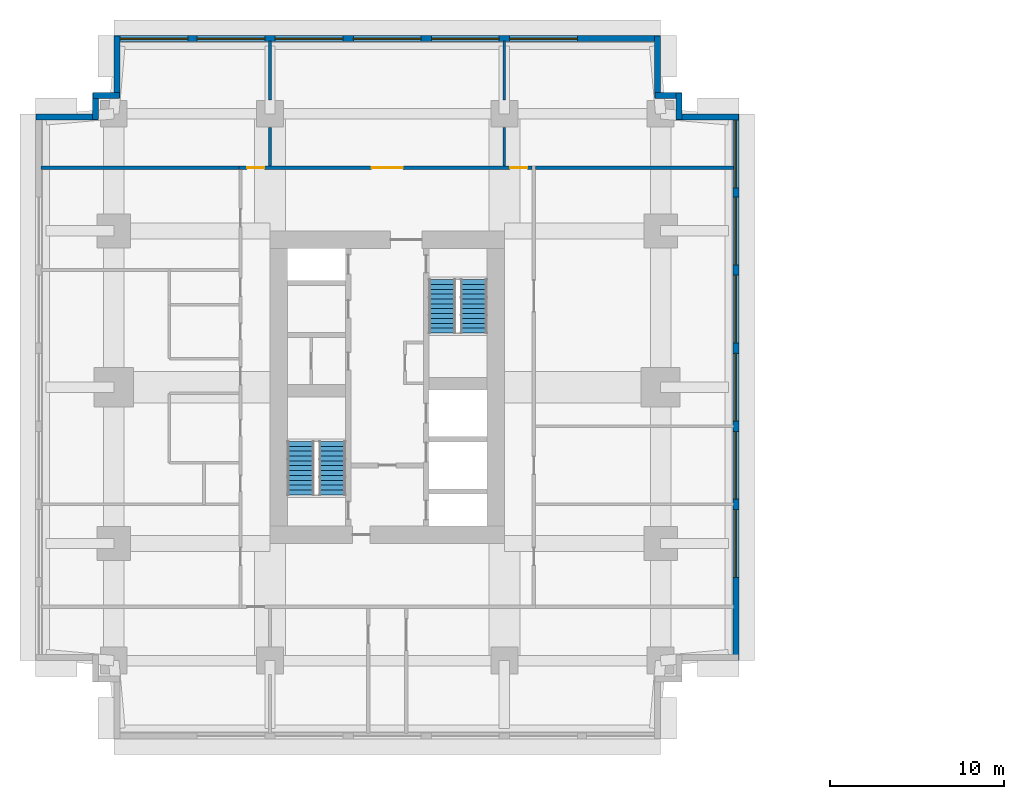
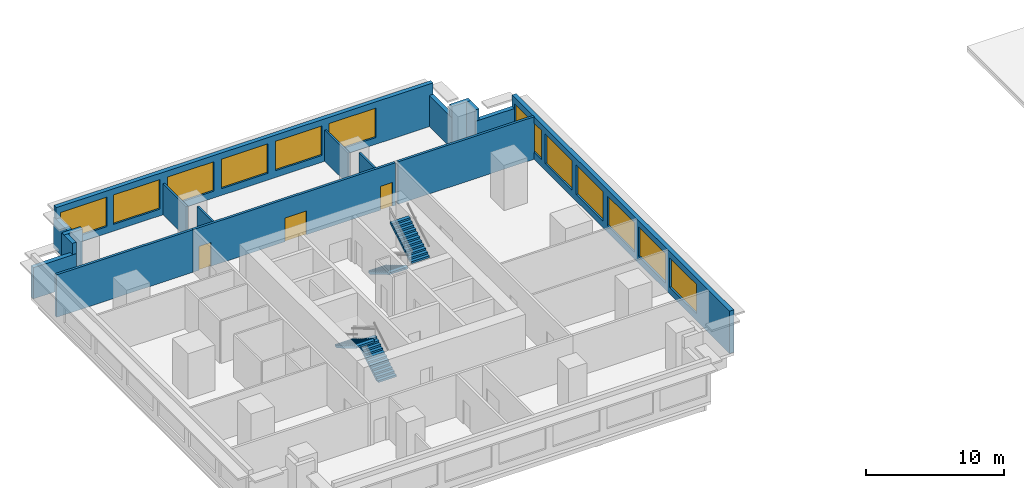
# One storey, part 4 of 5: 17 walls, 12 windows, 4 stair flights, 3 doors, 15 openings, 2 elements without a shape of their own.
"""IFC4 building model written with IfcOpenShell, lengths in metres."""

from ifc_helpers import new_model, si_unit, direction, frame, frame_2d, origin, place, context, subcontext, project, spatial, polyline, rectangle, outline, extrude, material, layer, layer_set, type_object, element, fill, aggregate, save


model = new_model("IFC4")

# Units and contexts
model_context = context("Model", 3, precision=1e-05, world=origin(), true_north=direction((0.0, 1.0)))
body_context = subcontext(model_context, "Body", "Model", "MODEL_VIEW")
ifc_project = project(units=[si_unit("LENGTHUNIT", "METRE"), si_unit("AREAUNIT", "SQUARE_METRE"), si_unit("VOLUMEUNIT", "CUBIC_METRE"), si_unit("PLANEANGLEUNIT", "RADIAN"), si_unit("MASSUNIT", "GRAM", prefix="KILO")], contexts=[model_context])

# Site, building, storey
site_placement = place(None, origin())
site = spatial("IfcSite", under=ifc_project, at=site_placement, CompositionType="ELEMENT")
building_placement = place(site_placement, origin())
building = spatial("IfcBuilding", under=site, at=building_placement, Name="Namib Vertical Campus", CompositionType="ELEMENT")
storey_placement = place(building_placement, frame((0.0, 0.0, 241.0)))
storey = spatial("IfcBuildingStorey", under=building, at=storey_placement, Name="L57", CompositionType="ELEMENT", Elevation=241.0)

# Wall, openings, doors
ifc_material_1 = material(Name="Concrete masonry", Category="masonry")
ifc_layer_1 = layer(ifc_material_1, 0.199951171875)
ifc_layer_set_1 = layer_set([ifc_layer_1], Name="Corridor wall 200")
wall_type_1 = type_object("IfcWallType", Name="Corridor wall 200", PredefinedType="SOLIDWALL", material=ifc_layer_set_1)
wall_1_placement = place(storey_placement, frame((28.60009765625, 32.89990234375, 0.0), z_axis=(0.0, 0.0, 1.0), x_axis=(-1.0, 0.0, 0.0)))
wall_1 = element("IfcWall", 1, at=wall_1_placement, inside=storey, type_object=wall_type_1, Name="Corridor wall A L57 CN", PredefinedType="SOLIDWALL", context=body_context, shape_type="SweptSolid", body=[
    extrude(rectangle(XDim=16.900146484375, YDim=0.199951171875, at=frame_2d((8.4501953125, 0.0))), origin(), (0.0, 0.0, 1.0), 3.75),
])
opening_1_placement = place(wall_1_placement, frame((15.425048828125, 0.0, 0.0)))
opening_1 = element("IfcOpeningElement", 2, at=opening_1_placement, cuts=wall_1, Name="Opening CD1", PredefinedType="OPENING", context=body_context, shape_type="SweptSolid", body=[
    extrude(rectangle(XDim=1.0, YDim=2.10009765625, at=frame_2d((0.5, 1.050048828125))), frame((0.0, 0.10986328125, 0.0), z_axis=(0.0, -1.0, 0.0), x_axis=(1.0, 0.0, 0.0)), (0.0, 0.0, 1.0), 0.219970703125),
])
opening_2_placement = place(wall_1_placement, frame((7.449951171875, 0.0, 0.0)))
opening_2 = element("IfcOpeningElement", 3, at=opening_2_placement, cuts=wall_1, Name="Opening CD2", PredefinedType="OPENING", context=body_context, shape_type="SweptSolid", body=[
    extrude(rectangle(XDim=1.800048828125, YDim=2.10009765625, at=frame_2d((0.89990234375, 1.050048828125))), frame((0.0, 0.10986328125, 0.0), z_axis=(0.0, -1.0, 0.0), x_axis=(1.0, 0.0, 0.0)), (0.0, 0.0, 1.0), 0.219970703125),
])
opening_3_placement = place(wall_1_placement, frame((0.27490234375, 0.0, 0.0)))
opening_3 = element("IfcOpeningElement", 4, at=opening_3_placement, cuts=wall_1, Name="Opening CD1", PredefinedType="OPENING", context=body_context, shape_type="SweptSolid", body=[
    extrude(rectangle(XDim=1.0, YDim=2.10009765625, at=frame_2d((0.5, 1.050048828125))), frame((0.0, 0.10986328125, 0.0), z_axis=(0.0, -1.0, 0.0), x_axis=(1.0, 0.0, 0.0)), (0.0, 0.0, 1.0), 0.219970703125),
])
ifc_material_2 = material(Name="Timber fire door leaf", Category="wood")
door_type_1 = type_object("IfcDoorType", Name="Corridor door 1000x2100 20 min", OperationType="SINGLE_SWING_LEFT", PredefinedType="DOOR", material=ifc_material_2)
door_1_placement = place(opening_1_placement, frame((1.0, 0.0, 0.0), z_axis=(0.0, 0.0, 1.0), x_axis=(-1.0, 0.0, 0.0)))
door_1 = element("IfcDoor", 5, at=door_1_placement, inside=storey, type_object=door_type_1, Name="Door CD1 A57-07", OperationType="SINGLE_SWING_RIGHT", OverallHeight=2.10009765625, OverallWidth=1.0, PredefinedType="DOOR", context=body_context, shape_type="SweptSolid", body=[
    extrude(rectangle(XDim=1.0, YDim=2.10009765625, at=frame_2d((0.5, 1.050048828125))), frame((0.0, 0.02490234375, 0.0), z_axis=(0.0, -1.0, 0.0), x_axis=(1.0, 0.0, 0.0)), (0.0, 0.0, 1.0), 0.050048828125),
])
fill(opening_1, door_1)
door_2_placement = place(opening_3_placement, frame((1.0, 0.0, 0.0), z_axis=(0.0, 0.0, 1.0), x_axis=(-1.0, 0.0, 0.0)))
door_2 = element("IfcDoor", 6, at=door_2_placement, inside=storey, type_object=door_type_1, Name="Door CD1 A57-09", OperationType="SINGLE_SWING_LEFT", OverallHeight=2.10009765625, OverallWidth=1.0, PredefinedType="DOOR", context=body_context, shape_type="SweptSolid", body=[
    extrude(rectangle(XDim=1.0, YDim=2.10009765625, at=frame_2d((0.5, 1.050048828125))), frame((0.0, 0.02490234375, 0.0), z_axis=(0.0, -1.0, 0.0), x_axis=(1.0, 0.0, 0.0)), (0.0, 0.0, 1.0), 0.050048828125),
])
fill(opening_3, door_2)
ifc_material_3 = material(Name="Timber fire door leaf", Category="wood")
door_type_2 = type_object("IfcDoorType", Name="Corridor door double 1800x2100 20 min", OperationType="DOUBLE_DOOR_SINGLE_SWING", PredefinedType="DOOR", material=ifc_material_3)
door_3_placement = place(opening_2_placement, frame((1.800048828125, 0.0, 0.0), z_axis=(0.0, 0.0, 1.0), x_axis=(-1.0, 0.0, 0.0)))
door_3 = element("IfcDoor", 7, at=door_3_placement, inside=storey, type_object=door_type_2, Name="Door CD2 A57-08", OperationType="DOUBLE_DOOR_SINGLE_SWING", OverallHeight=2.10009765625, OverallWidth=1.800048828125, PredefinedType="DOOR", context=body_context, shape_type="SweptSolid", body=[
    extrude(rectangle(XDim=1.800048828125, YDim=2.10009765625, at=frame_2d((0.89990234375, 1.050048828125))), frame((0.0, 0.02490234375, 0.0), z_axis=(0.0, -1.0, 0.0), x_axis=(1.0, 0.0, 0.0)), (0.0, 0.0, 1.0), 0.050048828125),
])
fill(opening_2, door_3)

# Walls
for number, where, z_axis, x_axis, name in (
    (8, (0.300048828125, 32.89990234375, 0.0), (0.0, 0.0, 1.0), (1.0, 0.0, 0.0), "Partition A L57 BNW"),
    (9, (28.800048828125, 32.89990234375, 0.0), (0.0, 0.0, 1.0), (1.0, 0.0, 0.0), "Partition A L57 BNE"),
):
    element("IfcWall", number, at=place(storey_placement, frame(where, z_axis=z_axis, x_axis=x_axis)), inside=storey, type_object=wall_type_1, Name=name, PredefinedType="SOLIDWALL", context=body_context, shape_type="SweptSolid", body=[
        extrude(rectangle(XDim=11.39990234375, YDim=0.199951171875, at=frame_2d((5.699951171875, 0.0))), origin(), (0.0, 0.0, 1.0), 3.75),
    ])

# Wall, openings, windows
ifc_material_4 = material(Name="Concrete C40/50", Category="concrete")
ifc_layer_2 = layer(ifc_material_4, 0.35009765625)
ifc_layer_set_2 = layer_set([ifc_layer_2], Name="Concrete C40/50")
wall_type_2 = type_object("IfcWallType", Name="External wall 350 bush-hammered concrete", PredefinedType="STANDARD", material=ifc_layer_set_2)
wall_2_placement = place(storey_placement, frame((40.324951171875, 4.52001953125, 0.0), z_axis=(0.0, 0.0, 1.0), x_axis=(0.0, 1.0, 0.0)))
wall_2 = element("IfcWall", 10, at=wall_2_placement, inside=storey, type_object=wall_type_2, Name="External wall L57 F06", PredefinedType="STANDARD", context=body_context, shape_type="SweptSolid", body=[
    extrude(rectangle(XDim=31.4599609375, YDim=0.35009765625, at=frame_2d((15.72998046875, 0.0))), origin(), (0.0, 0.0, 1.0), 3.75),
])
opening_4_placement = place(wall_2_placement, frame((4.780029296875, 0.0, 0.60009765625)))
opening_4 = element("IfcOpeningElement", 11, at=opening_4_placement, cuts=wall_2, Name="Opening W2", PredefinedType="OPENING", context=body_context, shape_type="SweptSolid", body=[
    extrude(rectangle(XDim=3.89990234375, YDim=2.60009765625, at=frame_2d((1.949951171875, 1.300048828125))), frame((0.0, 0.18505859375, 0.0), z_axis=(0.0, -1.0, 0.0), x_axis=(1.0, 0.0, 0.0)), (0.0, 0.0, 1.0), 0.3701171875),
])
opening_5_placement = place(wall_2_placement, frame((9.280029296875, 0.0, 0.60009765625)))
opening_5 = element("IfcOpeningElement", 12, at=opening_5_placement, cuts=wall_2, Name="Opening W2", PredefinedType="OPENING", context=body_context, shape_type="SweptSolid", body=[
    extrude(rectangle(XDim=3.89990234375, YDim=2.60009765625, at=frame_2d((1.949951171875, 1.300048828125))), frame((0.0, 0.18505859375, 0.0), z_axis=(0.0, -1.0, 0.0), x_axis=(1.0, 0.0, 0.0)), (0.0, 0.0, 1.0), 0.3701171875),
])
opening_6_placement = place(wall_2_placement, frame((13.780029296875, 0.0, 0.60009765625)))
opening_6 = element("IfcOpeningElement", 13, at=opening_6_placement, cuts=wall_2, Name="Opening W2", PredefinedType="OPENING", context=body_context, shape_type="SweptSolid", body=[
    extrude(rectangle(XDim=3.89990234375, YDim=2.60009765625, at=frame_2d((1.949951171875, 1.300048828125))), frame((0.0, 0.18505859375, 0.0), z_axis=(0.0, -1.0, 0.0), x_axis=(1.0, 0.0, 0.0)), (0.0, 0.0, 1.0), 0.3701171875),
])
opening_7_placement = place(wall_2_placement, frame((18.280029296875, 0.0, 0.60009765625)))
opening_7 = element("IfcOpeningElement", 14, at=opening_7_placement, cuts=wall_2, Name="Opening W2", PredefinedType="OPENING", context=body_context, shape_type="SweptSolid", body=[
    extrude(rectangle(XDim=3.89990234375, YDim=2.60009765625, at=frame_2d((1.949951171875, 1.300048828125))), frame((0.0, 0.18505859375, 0.0), z_axis=(0.0, -1.0, 0.0), x_axis=(1.0, 0.0, 0.0)), (0.0, 0.0, 1.0), 0.3701171875),
])
opening_8_placement = place(wall_2_placement, frame((22.780029296875, 0.0, 0.60009765625)))
opening_8 = element("IfcOpeningElement", 15, at=opening_8_placement, cuts=wall_2, Name="Opening W2", PredefinedType="OPENING", context=body_context, shape_type="SweptSolid", body=[
    extrude(rectangle(XDim=3.89990234375, YDim=2.60009765625, at=frame_2d((1.949951171875, 1.300048828125))), frame((0.0, 0.18505859375, 0.0), z_axis=(0.0, -1.0, 0.0), x_axis=(1.0, 0.0, 0.0)), (0.0, 0.0, 1.0), 0.3701171875),
])
opening_9_placement = place(wall_2_placement, frame((27.2099609375, 0.0, 0.60009765625)))
opening_9 = element("IfcOpeningElement", 16, at=opening_9_placement, cuts=wall_2, Name="Opening W2", PredefinedType="OPENING", context=body_context, shape_type="SweptSolid", body=[
    extrude(rectangle(XDim=3.89990234375, YDim=2.60009765625, at=frame_2d((1.949951171875, 1.300048828125))), frame((0.0, 0.18505859375, 0.0), z_axis=(0.0, -1.0, 0.0), x_axis=(1.0, 0.0, 0.0)), (0.0, 0.0, 1.0), 0.3701171875),
])
ifc_material_5 = material(Name="Dark tinted glass in black aluminium frame", Category="aluminium")
window_type = type_object("IfcWindowType", Name="Ribbon window 3900x2600", PartitioningType="SINGLE_PANEL", PredefinedType="WINDOW", material=ifc_material_5)
window_1_placement = place(opening_4_placement, origin())
window_1 = element("IfcWindow", 17, at=window_1_placement, inside=storey, type_object=window_type, Name="Window W2 L57 F06-2", OverallHeight=2.60009765625, OverallWidth=3.89990234375, PartitioningType="SINGLE_PANEL", PredefinedType="WINDOW", context=body_context, shape_type="SweptSolid", body=[
    extrude(rectangle(XDim=3.89990234375, YDim=2.60009765625, at=frame_2d((1.949951171875, 1.300048828125))), frame((0.0, 0.030029296875, 0.0), z_axis=(0.0, -1.0, 0.0), x_axis=(1.0, 0.0, 0.0)), (0.0, 0.0, 1.0), 0.06005859375),
])
fill(opening_4, window_1)
window_2_placement = place(opening_5_placement, origin())
window_2 = element("IfcWindow", 18, at=window_2_placement, inside=storey, type_object=window_type, Name="Window W2 L57 F06-3", OverallHeight=2.60009765625, OverallWidth=3.89990234375, PartitioningType="SINGLE_PANEL", PredefinedType="WINDOW", context=body_context, shape_type="SweptSolid", body=[
    extrude(rectangle(XDim=3.89990234375, YDim=2.60009765625, at=frame_2d((1.949951171875, 1.300048828125))), frame((0.0, 0.030029296875, 0.0), z_axis=(0.0, -1.0, 0.0), x_axis=(1.0, 0.0, 0.0)), (0.0, 0.0, 1.0), 0.06005859375),
])
fill(opening_5, window_2)
window_3_placement = place(opening_6_placement, origin())
window_3 = element("IfcWindow", 19, at=window_3_placement, inside=storey, type_object=window_type, Name="Window W2 L57 F06-4", OverallHeight=2.60009765625, OverallWidth=3.89990234375, PartitioningType="SINGLE_PANEL", PredefinedType="WINDOW", context=body_context, shape_type="SweptSolid", body=[
    extrude(rectangle(XDim=3.89990234375, YDim=2.60009765625, at=frame_2d((1.949951171875, 1.300048828125))), frame((0.0, 0.030029296875, 0.0), z_axis=(0.0, -1.0, 0.0), x_axis=(1.0, 0.0, 0.0)), (0.0, 0.0, 1.0), 0.06005859375),
])
fill(opening_6, window_3)
window_4_placement = place(opening_7_placement, origin())
window_4 = element("IfcWindow", 20, at=window_4_placement, inside=storey, type_object=window_type, Name="Window W2 L57 F06-5", OverallHeight=2.60009765625, OverallWidth=3.89990234375, PartitioningType="SINGLE_PANEL", PredefinedType="WINDOW", context=body_context, shape_type="SweptSolid", body=[
    extrude(rectangle(XDim=3.89990234375, YDim=2.60009765625, at=frame_2d((1.949951171875, 1.300048828125))), frame((0.0, 0.030029296875, 0.0), z_axis=(0.0, -1.0, 0.0), x_axis=(1.0, 0.0, 0.0)), (0.0, 0.0, 1.0), 0.06005859375),
])
fill(opening_7, window_4)
window_5_placement = place(opening_8_placement, origin())
window_5 = element("IfcWindow", 21, at=window_5_placement, inside=storey, type_object=window_type, Name="Window W2 L57 F06-6", OverallHeight=2.60009765625, OverallWidth=3.89990234375, PartitioningType="SINGLE_PANEL", PredefinedType="WINDOW", context=body_context, shape_type="SweptSolid", body=[
    extrude(rectangle(XDim=3.89990234375, YDim=2.60009765625, at=frame_2d((1.949951171875, 1.300048828125))), frame((0.0, 0.030029296875, 0.0), z_axis=(0.0, -1.0, 0.0), x_axis=(1.0, 0.0, 0.0)), (0.0, 0.0, 1.0), 0.06005859375),
])
fill(opening_8, window_5)
window_6_placement = place(opening_9_placement, origin())
window_6 = element("IfcWindow", 22, at=window_6_placement, inside=storey, type_object=window_type, Name="Window W2 L57 F06-7", OverallHeight=2.60009765625, OverallWidth=3.89990234375, PartitioningType="SINGLE_PANEL", PredefinedType="WINDOW", context=body_context, shape_type="SweptSolid", body=[
    extrude(rectangle(XDim=3.89990234375, YDim=2.60009765625, at=frame_2d((1.949951171875, 1.300048828125))), frame((0.0, 0.030029296875, 0.0), z_axis=(0.0, -1.0, 0.0), x_axis=(1.0, 0.0, 0.0)), (0.0, 0.0, 1.0), 0.06005859375),
])
fill(opening_9, window_6)

# Walls
wall_3_placement = place(storey_placement, frame((40.47998046875, 35.824951171875, 0.0), z_axis=(0.0, 0.0, 1.0), x_axis=(-1.0, 0.0, 0.0)))
element("IfcWall", 23, at=wall_3_placement, inside=storey, type_object=wall_type_2, Name="External wall L57 F07", PredefinedType="STANDARD", context=body_context, shape_type="SweptSolid", body=[
    extrude(rectangle(XDim=3.5849609375, YDim=0.35009765625, at=frame_2d((1.79248046875, 0.0))), origin(), (0.0, 0.0, 1.0), 2.75),
])
for number, where, z_axis, x_axis, name in (
    (24, (37.050048828125, 35.669921875, 0.0), (0.0, 0.0, 1.0), (0.0, 1.0, 0.0), "External wall L57 F08"),
    (25, (37.205078125, 37.050048828125, 0.0), (0.0, 0.0, 1.0), (-1.0, 0.0, 0.0), "External wall L57 F09"),
):
    element("IfcWall", number, at=place(storey_placement, frame(where, z_axis=z_axis, x_axis=x_axis)), inside=storey, type_object=wall_type_2, Name=name, PredefinedType="STANDARD", context=body_context, shape_type="SweptSolid", body=[
        extrude(rectangle(XDim=1.53515625, YDim=0.35009765625, at=frame_2d((0.767578125, 0.0))), origin(), (0.0, 0.0, 1.0), 3.75),
    ])
wall_4_placement = place(storey_placement, frame((35.824951171875, 36.89501953125, 0.0), z_axis=(0.0, 0.0, 1.0), x_axis=(0.0, 1.0, 0.0)))
element("IfcWall", 26, at=wall_4_placement, inside=storey, type_object=wall_type_2, Name="External wall L57 F10", PredefinedType="STANDARD", context=body_context, shape_type="SweptSolid", body=[
    extrude(rectangle(XDim=3.5849609375, YDim=0.35009765625, at=frame_2d((1.79248046875, 0.0))), origin(), (0.0, 0.0, 1.0), 2.75),
])

# Wall, openings, windows
wall_5_placement = place(storey_placement, frame((35.97998046875, 40.324951171875, 0.0), z_axis=(0.0, 0.0, 1.0), x_axis=(-1.0, 0.0, 0.0)))
wall_5 = element("IfcWall", 27, at=wall_5_placement, inside=storey, type_object=wall_type_2, Name="External wall L57 F11", PredefinedType="STANDARD", context=body_context, shape_type="SweptSolid", body=[
    extrude(rectangle(XDim=31.4599609375, YDim=0.35009765625, at=frame_2d((15.72998046875, 0.0))), origin(), (0.0, 0.0, 1.0), 3.75),
])
opening_10_placement = place(wall_5_placement, frame((27.2099609375, 0.0, 0.60009765625)))
opening_10 = element("IfcOpeningElement", 28, at=opening_10_placement, cuts=wall_5, Name="Opening W2", PredefinedType="OPENING", context=body_context, shape_type="SweptSolid", body=[
    extrude(rectangle(XDim=3.89990234375, YDim=2.60009765625, at=frame_2d((1.949951171875, 1.300048828125))), frame((0.0, 0.18505859375, 0.0), z_axis=(0.0, -1.0, 0.0), x_axis=(1.0, 0.0, 0.0)), (0.0, 0.0, 1.0), 0.3701171875),
])
opening_11_placement = place(wall_5_placement, frame((22.780029296875, 0.0, 0.60009765625)))
opening_11 = element("IfcOpeningElement", 29, at=opening_11_placement, cuts=wall_5, Name="Opening W2", PredefinedType="OPENING", context=body_context, shape_type="SweptSolid", body=[
    extrude(rectangle(XDim=3.89990234375, YDim=2.60009765625, at=frame_2d((1.949951171875, 1.300048828125))), frame((0.0, 0.18505859375, 0.0), z_axis=(0.0, -1.0, 0.0), x_axis=(1.0, 0.0, 0.0)), (0.0, 0.0, 1.0), 0.3701171875),
])
opening_12_placement = place(wall_5_placement, frame((18.280029296875, 0.0, 0.60009765625)))
opening_12 = element("IfcOpeningElement", 30, at=opening_12_placement, cuts=wall_5, Name="Opening W2", PredefinedType="OPENING", context=body_context, shape_type="SweptSolid", body=[
    extrude(rectangle(XDim=3.89990234375, YDim=2.60009765625, at=frame_2d((1.949951171875, 1.300048828125))), frame((0.0, 0.18505859375, 0.0), z_axis=(0.0, -1.0, 0.0), x_axis=(1.0, 0.0, 0.0)), (0.0, 0.0, 1.0), 0.3701171875),
])
opening_13_placement = place(wall_5_placement, frame((13.780029296875, 0.0, 0.60009765625)))
opening_13 = element("IfcOpeningElement", 31, at=opening_13_placement, cuts=wall_5, Name="Opening W2", PredefinedType="OPENING", context=body_context, shape_type="SweptSolid", body=[
    extrude(rectangle(XDim=3.89990234375, YDim=2.60009765625, at=frame_2d((1.949951171875, 1.300048828125))), frame((0.0, 0.18505859375, 0.0), z_axis=(0.0, -1.0, 0.0), x_axis=(1.0, 0.0, 0.0)), (0.0, 0.0, 1.0), 0.3701171875),
])
opening_14_placement = place(wall_5_placement, frame((9.280029296875, 0.0, 0.60009765625)))
opening_14 = element("IfcOpeningElement", 32, at=opening_14_placement, cuts=wall_5, Name="Opening W2", PredefinedType="OPENING", context=body_context, shape_type="SweptSolid", body=[
    extrude(rectangle(XDim=3.89990234375, YDim=2.60009765625, at=frame_2d((1.949951171875, 1.300048828125))), frame((0.0, 0.18505859375, 0.0), z_axis=(0.0, -1.0, 0.0), x_axis=(1.0, 0.0, 0.0)), (0.0, 0.0, 1.0), 0.3701171875),
])
opening_15_placement = place(wall_5_placement, frame((4.780029296875, 0.0, 0.60009765625)))
opening_15 = element("IfcOpeningElement", 33, at=opening_15_placement, cuts=wall_5, Name="Opening W2", PredefinedType="OPENING", context=body_context, shape_type="SweptSolid", body=[
    extrude(rectangle(XDim=3.89990234375, YDim=2.60009765625, at=frame_2d((1.949951171875, 1.300048828125))), frame((0.0, 0.18505859375, 0.0), z_axis=(0.0, -1.0, 0.0), x_axis=(1.0, 0.0, 0.0)), (0.0, 0.0, 1.0), 0.3701171875),
])
window_7_placement = place(opening_10_placement, origin())
window_7 = element("IfcWindow", 34, at=window_7_placement, inside=storey, type_object=window_type, Name="Window W2 L57 F11-1", OverallHeight=2.60009765625, OverallWidth=3.89990234375, PartitioningType="SINGLE_PANEL", PredefinedType="WINDOW", context=body_context, shape_type="SweptSolid", body=[
    extrude(rectangle(XDim=3.89990234375, YDim=2.60009765625, at=frame_2d((1.949951171875, 1.300048828125))), frame((0.0, 0.030029296875, 0.0), z_axis=(0.0, -1.0, 0.0), x_axis=(1.0, 0.0, 0.0)), (0.0, 0.0, 1.0), 0.06005859375),
])
fill(opening_10, window_7)
window_8_placement = place(opening_11_placement, origin())
window_8 = element("IfcWindow", 35, at=window_8_placement, inside=storey, type_object=window_type, Name="Window W2 L57 F11-2", OverallHeight=2.60009765625, OverallWidth=3.89990234375, PartitioningType="SINGLE_PANEL", PredefinedType="WINDOW", context=body_context, shape_type="SweptSolid", body=[
    extrude(rectangle(XDim=3.89990234375, YDim=2.60009765625, at=frame_2d((1.949951171875, 1.300048828125))), frame((0.0, 0.030029296875, 0.0), z_axis=(0.0, -1.0, 0.0), x_axis=(1.0, 0.0, 0.0)), (0.0, 0.0, 1.0), 0.06005859375),
])
fill(opening_11, window_8)
window_9_placement = place(opening_12_placement, origin())
window_9 = element("IfcWindow", 36, at=window_9_placement, inside=storey, type_object=window_type, Name="Window W2 L57 F11-3", OverallHeight=2.60009765625, OverallWidth=3.89990234375, PartitioningType="SINGLE_PANEL", PredefinedType="WINDOW", context=body_context, shape_type="SweptSolid", body=[
    extrude(rectangle(XDim=3.89990234375, YDim=2.60009765625, at=frame_2d((1.949951171875, 1.300048828125))), frame((0.0, 0.030029296875, 0.0), z_axis=(0.0, -1.0, 0.0), x_axis=(1.0, 0.0, 0.0)), (0.0, 0.0, 1.0), 0.06005859375),
])
fill(opening_12, window_9)
window_10_placement = place(opening_13_placement, origin())
window_10 = element("IfcWindow", 37, at=window_10_placement, inside=storey, type_object=window_type, Name="Window W2 L57 F11-4", OverallHeight=2.60009765625, OverallWidth=3.89990234375, PartitioningType="SINGLE_PANEL", PredefinedType="WINDOW", context=body_context, shape_type="SweptSolid", body=[
    extrude(rectangle(XDim=3.89990234375, YDim=2.60009765625, at=frame_2d((1.949951171875, 1.300048828125))), frame((0.0, 0.030029296875, 0.0), z_axis=(0.0, -1.0, 0.0), x_axis=(1.0, 0.0, 0.0)), (0.0, 0.0, 1.0), 0.06005859375),
])
fill(opening_13, window_10)
window_11_placement = place(opening_14_placement, origin())
window_11 = element("IfcWindow", 38, at=window_11_placement, inside=storey, type_object=window_type, Name="Window W2 L57 F11-5", OverallHeight=2.60009765625, OverallWidth=3.89990234375, PartitioningType="SINGLE_PANEL", PredefinedType="WINDOW", context=body_context, shape_type="SweptSolid", body=[
    extrude(rectangle(XDim=3.89990234375, YDim=2.60009765625, at=frame_2d((1.949951171875, 1.300048828125))), frame((0.0, 0.030029296875, 0.0), z_axis=(0.0, -1.0, 0.0), x_axis=(1.0, 0.0, 0.0)), (0.0, 0.0, 1.0), 0.06005859375),
])
fill(opening_14, window_11)
window_12_placement = place(opening_15_placement, origin())
window_12 = element("IfcWindow", 39, at=window_12_placement, inside=storey, type_object=window_type, Name="Window W2 L57 F11-6", OverallHeight=2.60009765625, OverallWidth=3.89990234375, PartitioningType="SINGLE_PANEL", PredefinedType="WINDOW", context=body_context, shape_type="SweptSolid", body=[
    extrude(rectangle(XDim=3.89990234375, YDim=2.60009765625, at=frame_2d((1.949951171875, 1.300048828125))), frame((0.0, 0.030029296875, 0.0), z_axis=(0.0, -1.0, 0.0), x_axis=(1.0, 0.0, 0.0)), (0.0, 0.0, 1.0), 0.06005859375),
])
fill(opening_15, window_12)

# Walls
wall_6_placement = place(storey_placement, frame((4.675048828125, 40.47998046875, 0.0), z_axis=(0.0, 0.0, 1.0), x_axis=(0.0, -1.0, 0.0)))
element("IfcWall", 40, at=wall_6_placement, inside=storey, type_object=wall_type_2, Name="External wall L57 F12", PredefinedType="STANDARD", context=body_context, shape_type="SweptSolid", body=[
    extrude(rectangle(XDim=3.5849609375, YDim=0.35009765625, at=frame_2d((1.79248046875, 0.0))), origin(), (0.0, 0.0, 1.0), 2.75),
])
for number, where, z_axis, x_axis, name in (
    (41, (4.830078125, 37.050048828125, 0.0), (0.0, 0.0, 1.0), (-1.0, 0.0, 0.0), "External wall L57 F13"),
    (42, (3.449951171875, 37.205078125, 0.0), (0.0, 0.0, 1.0), (0.0, -1.0, 0.0), "External wall L57 F14"),
):
    element("IfcWall", number, at=place(storey_placement, frame(where, z_axis=z_axis, x_axis=x_axis)), inside=storey, type_object=wall_type_2, Name=name, PredefinedType="STANDARD", context=body_context, shape_type="SweptSolid", body=[
        extrude(rectangle(XDim=1.53515625, YDim=0.35009765625, at=frame_2d((0.767578125, 0.0))), origin(), (0.0, 0.0, 1.0), 3.75),
    ])
wall_7_placement = place(storey_placement, frame((3.60498046875, 35.824951171875, 0.0), z_axis=(0.0, 0.0, 1.0), x_axis=(-1.0, 0.0, 0.0)))
element("IfcWall", 43, at=wall_7_placement, inside=storey, type_object=wall_type_2, Name="External wall L57 F15", PredefinedType="STANDARD", context=body_context, shape_type="SweptSolid", body=[
    extrude(rectangle(XDim=3.5849609375, YDim=0.35009765625, at=frame_2d((1.79248046875, 0.0))), origin(), (0.0, 0.0, 1.0), 2.75),
])
ifc_material_6 = material(Name="Gypsum board on steel studs", Category="steel")
ifc_layer_3 = layer(ifc_material_6, 0.14990234375)
ifc_layer_set_3 = layer_set([ifc_layer_3], Name="Gypsum board on steel studs")
wall_type_3 = type_object("IfcWallType", Name="Partition 150", PredefinedType="PARTITIONING", material=ifc_layer_set_3)
wall_8_placement = place(storey_placement, frame((13.5, 33.0, 0.0), z_axis=(0.0, 0.0, 1.0), x_axis=(0.0, 1.0, 0.0)))
element("IfcWall", 44, at=wall_8_placement, inside=storey, type_object=wall_type_3, Name="Partition A L57 PN1", PredefinedType="PARTITIONING", context=body_context, shape_type="SweptSolid", body=[
    extrude(rectangle(XDim=2.205078125, YDim=0.14990234375, at=frame_2d((1.1025390625, 0.0))), origin(), (0.0, 0.0, 1.0), 3.75),
])
wall_9_placement = place(storey_placement, frame((13.5, 36.794921875, 0.0), z_axis=(0.0, 0.0, 1.0), x_axis=(0.0, 1.0, 0.0)))
element("IfcWall", 45, at=wall_9_placement, inside=storey, type_object=wall_type_3, Name="Partition A L57 PN1", PredefinedType="PARTITIONING", context=body_context, shape_type="SweptSolid", body=[
    extrude(rectangle(XDim=3.405029296875, YDim=0.14990234375, at=frame_2d((1.70263671875, 0.0))), origin(), (0.0, 0.0, 1.0), 2.75),
])
wall_10_placement = place(storey_placement, frame((27.0, 33.0, 0.0), z_axis=(0.0, 0.0, 1.0), x_axis=(0.0, 1.0, 0.0)))
element("IfcWall", 46, at=wall_10_placement, inside=storey, type_object=wall_type_3, Name="Partition A L57 PN2", PredefinedType="PARTITIONING", context=body_context, shape_type="SweptSolid", body=[
    extrude(rectangle(XDim=2.205078125, YDim=0.14990234375, at=frame_2d((1.1025390625, 0.0))), origin(), (0.0, 0.0, 1.0), 3.75),
])
wall_11_placement = place(storey_placement, frame((27.0, 36.794921875, 0.0), z_axis=(0.0, 0.0, 1.0), x_axis=(0.0, 1.0, 0.0)))
element("IfcWall", 47, at=wall_11_placement, inside=storey, type_object=wall_type_3, Name="Partition A L57 PN2", PredefinedType="PARTITIONING", context=body_context, shape_type="SweptSolid", body=[
    extrude(rectangle(XDim=3.405029296875, YDim=0.14990234375, at=frame_2d((1.70263671875, 0.0))), origin(), (0.0, 0.0, 1.0), 2.75),
])

# Stair, stair flights
ifc_material_7 = material(Name="Concrete C40/50 precast", Category="concrete")
stair_type = type_object("IfcStairType", Name="Exit stair 4000 rise 24 risers 3350 wide", PredefinedType="HALF_TURN_STAIR", material=ifc_material_7)
stair_1_placement = place(storey_placement, origin())
stair_1 = element("IfcStair", 48, at=stair_1_placement, inside=storey, type_object=stair_type, Name="Exit stair A-S1 L57", PredefinedType="HALF_TURN_STAIR")
ifc_material_8 = material(Name="Concrete C40/50 precast", Category="concrete")
stair_flight_type = type_object("IfcStairFlightType", Name="Stair flight 12 risers 167 1525 wide", PredefinedType="STRAIGHT", material=ifc_material_8)
stair_flight_1_placement = place(storey_placement, frame((17.08740234375, 14.050048828125, 0.0), z_axis=(0.0, 0.0, 1.0), x_axis=(0.0, 1.0, 0.0)))
stair_flight_1 = element("IfcStairFlight", 49, at=stair_flight_1_placement, type_object=stair_flight_type, Name="A-S1 flight 1", NumberOfRisers=12, NumberOfTreads=11, PredefinedType="STRAIGHT", RiserHeight=0.166666667, TreadLength=0.28, context=body_context, shape_type="SweptSolid", body=[
    extrude(outline(polyline([(0.0, 0.0), (0.0, 0.166748046875), (0.280029296875, 0.166748046875), (0.280029296875, 0.333251953125), (0.56005859375, 0.333251953125), (0.56005859375, 0.5), (0.840087890625, 0.5), (0.840087890625, 0.666748046875), (1.1201171875, 0.666748046875), (1.1201171875, 0.833251953125), (1.39990234375, 0.833251953125), (1.39990234375, 1.0), (1.679931640625, 1.0), (1.679931640625, 1.166748046875), (1.9599609375, 1.166748046875), (1.9599609375, 1.333251953125), (2.239990234375, 1.333251953125), (2.239990234375, 1.5), (2.52001953125, 1.5), (2.52001953125, 1.666748046875), (2.800048828125, 1.666748046875), (2.800048828125, 1.833251953125), (3.080078125, 1.833251953125), (3.080078125, 2.0), (3.080078125, 1.658935546875), (0.29296875, 0.0), (0.0, 0.0)])), frame((0.0, 0.762451171875, 0.0), z_axis=(0.0, -1.0, 0.0), x_axis=(1.0, 0.0, 0.0)), (0.0, 0.0, 1.0), 1.52490234375),
])
stair_flight_2_placement = place(storey_placement, frame((15.262451171875, 17.1298828125, 2.0), z_axis=(0.0, 0.0, 1.0), x_axis=(0.0, -1.0, 0.0)))
stair_flight_2 = element("IfcStairFlight", 50, at=stair_flight_2_placement, type_object=stair_flight_type, Name="A-S1 flight 2", NumberOfRisers=12, NumberOfTreads=11, PredefinedType="STRAIGHT", RiserHeight=0.166666667, TreadLength=0.28, context=body_context, shape_type="SweptSolid", body=[
    extrude(outline(polyline([(0.0, 0.0), (0.0, 0.166748046875), (0.280029296875, 0.166748046875), (0.280029296875, 0.333251953125), (0.56005859375, 0.333251953125), (0.56005859375, 0.5), (0.840087890625, 0.5), (0.840087890625, 0.666748046875), (1.1201171875, 0.666748046875), (1.1201171875, 0.833251953125), (1.39990234375, 0.833251953125), (1.39990234375, 1.0), (1.679931640625, 1.0), (1.679931640625, 1.166748046875), (1.9599609375, 1.166748046875), (1.9599609375, 1.333251953125), (2.239990234375, 1.333251953125), (2.239990234375, 1.5), (2.52001953125, 1.5), (2.52001953125, 1.666748046875), (2.800048828125, 1.666748046875), (2.800048828125, 1.833251953125), (3.080078125, 1.833251953125), (3.080078125, 2.0), (3.080078125, 1.658935546875), (0.29296875, 0.0), (0.0, 0.0)])), frame((0.0, 0.762451171875, 0.0), z_axis=(0.0, -1.0, 0.0), x_axis=(1.0, 0.0, 0.0)), (0.0, 0.0, 1.0), 1.52490234375),
])
aggregate(stair_1, [stair_flight_1, stair_flight_2])

stair_2_placement = place(storey_placement, origin())
stair_2 = element("IfcStair", 51, at=stair_2_placement, inside=storey, type_object=stair_type, Name="Exit stair A-S2 L57", PredefinedType="HALF_TURN_STAIR")
stair_flight_3_placement = place(storey_placement, frame((23.41259765625, 26.449951171875, 0.0), z_axis=(0.0, 0.0, 1.0), x_axis=(0.0, -1.0, 0.0)))
stair_flight_3 = element("IfcStairFlight", 52, at=stair_flight_3_placement, type_object=stair_flight_type, Name="A-S2 flight 1", NumberOfRisers=12, NumberOfTreads=11, PredefinedType="STRAIGHT", RiserHeight=0.166666667, TreadLength=0.28, context=body_context, shape_type="SweptSolid", body=[
    extrude(outline(polyline([(0.0, 0.0), (0.0, 0.166748046875), (0.280029296875, 0.166748046875), (0.280029296875, 0.333251953125), (0.56005859375, 0.333251953125), (0.56005859375, 0.5), (0.840087890625, 0.5), (0.840087890625, 0.666748046875), (1.1201171875, 0.666748046875), (1.1201171875, 0.833251953125), (1.39990234375, 0.833251953125), (1.39990234375, 1.0), (1.679931640625, 1.0), (1.679931640625, 1.166748046875), (1.9599609375, 1.166748046875), (1.9599609375, 1.333251953125), (2.239990234375, 1.333251953125), (2.239990234375, 1.5), (2.52001953125, 1.5), (2.52001953125, 1.666748046875), (2.800048828125, 1.666748046875), (2.800048828125, 1.833251953125), (3.080078125, 1.833251953125), (3.080078125, 2.0), (3.080078125, 1.658935546875), (0.29296875, 0.0), (0.0, 0.0)])), frame((0.0, 0.762451171875, 0.0), z_axis=(0.0, -1.0, 0.0), x_axis=(1.0, 0.0, 0.0)), (0.0, 0.0, 1.0), 1.52490234375),
])
stair_flight_4_placement = place(storey_placement, frame((25.237548828125, 23.3701171875, 2.0), z_axis=(0.0, 0.0, 1.0), x_axis=(0.0, 1.0, 0.0)))
stair_flight_4 = element("IfcStairFlight", 53, at=stair_flight_4_placement, type_object=stair_flight_type, Name="A-S2 flight 2", NumberOfRisers=12, NumberOfTreads=11, PredefinedType="STRAIGHT", RiserHeight=0.166666667, TreadLength=0.28, context=body_context, shape_type="SweptSolid", body=[
    extrude(outline(polyline([(0.0, 0.0), (0.0, 0.166748046875), (0.280029296875, 0.166748046875), (0.280029296875, 0.333251953125), (0.56005859375, 0.333251953125), (0.56005859375, 0.5), (0.840087890625, 0.5), (0.840087890625, 0.666748046875), (1.1201171875, 0.666748046875), (1.1201171875, 0.833251953125), (1.39990234375, 0.833251953125), (1.39990234375, 1.0), (1.679931640625, 1.0), (1.679931640625, 1.166748046875), (1.9599609375, 1.166748046875), (1.9599609375, 1.333251953125), (2.239990234375, 1.333251953125), (2.239990234375, 1.5), (2.52001953125, 1.5), (2.52001953125, 1.666748046875), (2.800048828125, 1.666748046875), (2.800048828125, 1.833251953125), (3.080078125, 1.833251953125), (3.080078125, 2.0), (3.080078125, 1.658935546875), (0.29296875, 0.0), (0.0, 0.0)])), frame((0.0, 0.762451171875, 0.0), z_axis=(0.0, -1.0, 0.0), x_axis=(1.0, 0.0, 0.0)), (0.0, 0.0, 1.0), 1.52490234375),
])
aggregate(stair_2, [stair_flight_3, stair_flight_4])

save(model, "model.ifc")
